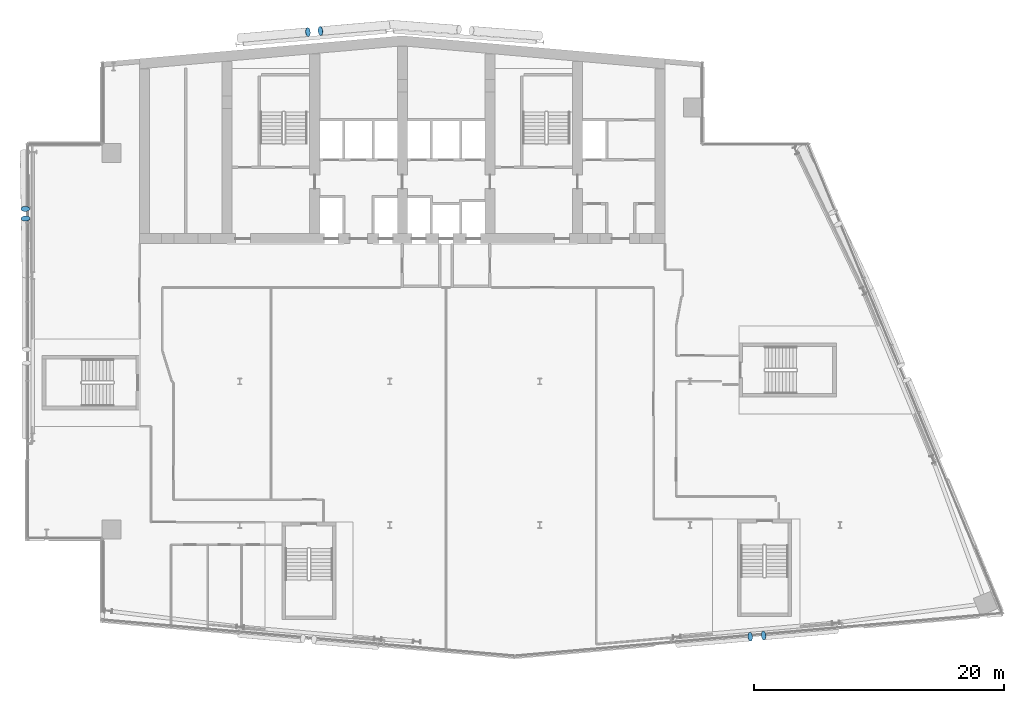
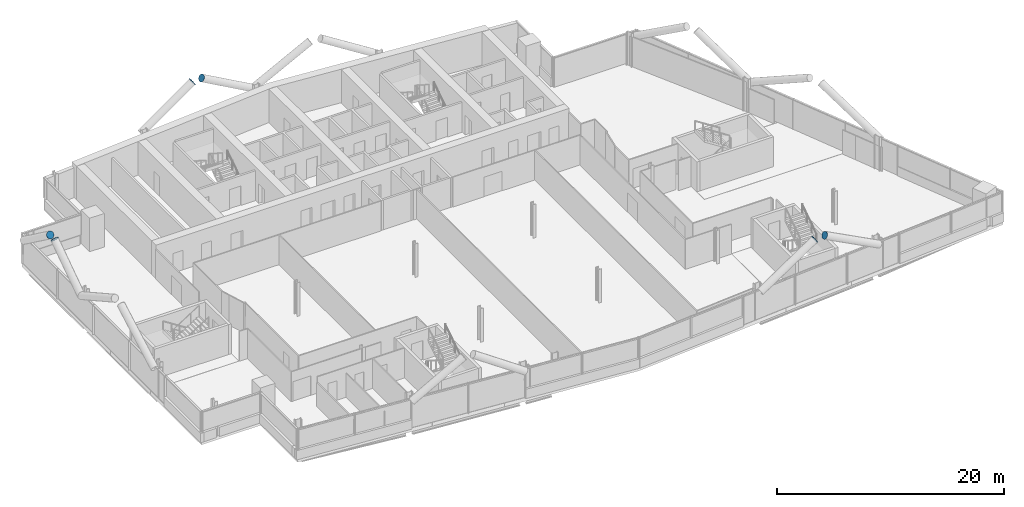
# One storey, part 22 of 26: 6 discrete accessories.
"""IFC4 building model written with IfcOpenShell, lengths in metres."""

from ifc_helpers import new_model, si_unit, direction, frame, origin, origin_2d, place, context, subcontext, project, spatial, circle, extrude, material, material_profile, profile_set, type_object, element, save


model = new_model("IFC4")

# Units and contexts
model_context = context("Model", 3, precision=1e-05, world=origin(), true_north=direction((0.0, 1.0)))
body_context = subcontext(model_context, "Body", "Model", "MODEL_VIEW")
ifc_project = project(units=[si_unit("LENGTHUNIT", "METRE"), si_unit("AREAUNIT", "SQUARE_METRE"), si_unit("VOLUMEUNIT", "CUBIC_METRE"), si_unit("PLANEANGLEUNIT", "RADIAN"), si_unit("MASSUNIT", "GRAM", prefix="KILO")], contexts=[model_context])

# Site, building, storey
site_placement = place(None, origin())
site = spatial("IfcSite", under=ifc_project, at=site_placement, CompositionType="ELEMENT")
building_placement = place(site_placement, origin())
building = spatial("IfcBuilding", under=site, at=building_placement, Name="Wharfspan Tower", CompositionType="ELEMENT")
storey_placement = place(building_placement, frame((0.0, 0.0, 177.100098)))
storey = spatial("IfcBuildingStorey", under=building, at=storey_placement, Name="L43", CompositionType="ELEMENT", Elevation=177.100098)

# Discrete accessories
ifc_material = material(Name="Steel S460NH", Category="steel")
ifc_material_profile = material_profile(ifc_material, circle(Radius=0.355469, at=origin_2d()))
ifc_profile_set = profile_set([ifc_material_profile], Name="Steel S460NH")
discrete_accessory_type = type_object("IfcDiscreteAccessoryType", Name="End plate CHS 711x36", PredefinedType="BRACKET", material=ifc_profile_set)
for number, where, z_axis, x_axis, name in (
    (1, (64.812744, 2.578613, 6.192383), (0.871847, 0.072654, 0.484359), (-0.083044, 0.996547, -3e-06), "End plate CHS 711x36"),
    (2, (65.897949, 2.673584, 6.192383), (-0.871847, -0.072654, 0.484359), (0.083044, -0.996547, -3e-06), "End plate CHS 711x36"),
):
    element("IfcDiscreteAccessory", number, at=place(storey_placement, frame(where, z_axis=z_axis, x_axis=x_axis)), inside=storey, type_object=discrete_accessory_type, Name=name, PredefinedType="BRACKET", context=body_context, shape_type="SweptSolid", body=[
        extrude(circle(Radius=0.355469, at=origin_2d()), origin(), (0.0, 0.0, 1.0), 0.01001),
    ])
discrete_accessory_placement = place(storey_placement, frame((6.860352, 36.790771, 6.214844), z_axis=(0.0, -0.816968, 0.576683), x_axis=(1.0, 0.0, 0.0)))
element("IfcDiscreteAccessory", 3, at=discrete_accessory_placement, inside=storey, type_object=discrete_accessory_type, Name="End plate CHS 711x36", PredefinedType="BRACKET", context=body_context, shape_type="SweptSolid", body=[
    extrude(circle(Radius=0.355469, at=origin_2d()), origin(), (0.0, 0.0, 1.0), 0.010254),
])
for number, where, z_axis, x_axis, name in (
    (4, (6.872803, 36.009033, 6.214844), (-0.0245, 0.808493, 0.587995), (-0.999537, -0.03029, 1e-06), "End plate CHS 711x36"),
    (5, (29.450928, 50.918701, 6.196777), (0.855186, 0.073302, 0.513112), (-0.085402, 0.996345, 1e-06), "End plate CHS 711x36"),
    (6, (30.461426, 51.00708, 6.196777), (-0.855186, -0.073302, 0.513112), (0.085402, -0.996345, 1e-06), "End plate CHS 711x36"),
):
    element("IfcDiscreteAccessory", number, at=place(storey_placement, frame(where, z_axis=z_axis, x_axis=x_axis)), inside=storey, type_object=discrete_accessory_type, Name=name, PredefinedType="BRACKET", context=body_context, shape_type="SweptSolid", body=[
        extrude(circle(Radius=0.355469, at=origin_2d()), origin(), (0.0, 0.0, 1.0), 0.01001),
    ])

save(model, "model.ifc")
